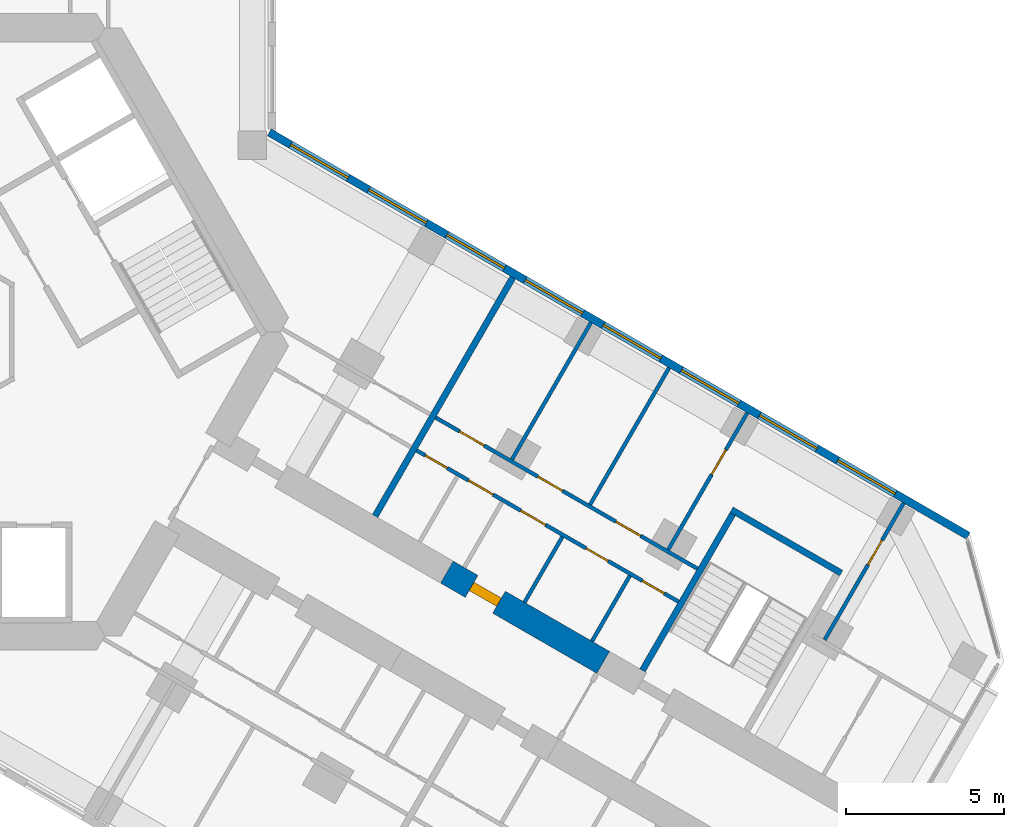
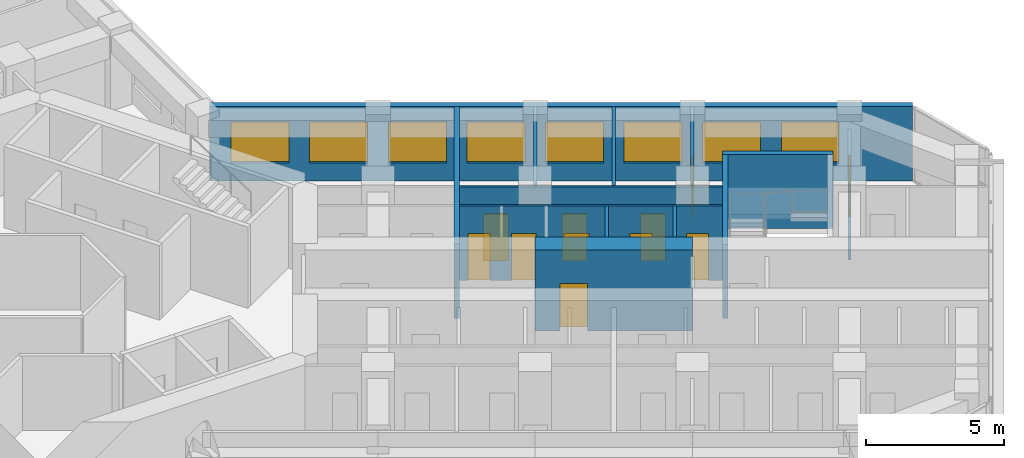
# One storey, part 16 of 20: 13 walls, 11 doors, 8 windows, 19 openings.
"""IFC4 building model written with IfcOpenShell, lengths in metres."""

from ifc_helpers import new_model, si_unit, direction, frame, frame_2d, origin, place, context, subcontext, project, spatial, rectangle, extrude, material, layer, layer_set, type_object, element, fill, save


model = new_model("IFC4")

# Units and contexts
model_context = context("Model", 3, precision=1e-05, world=origin(), true_north=direction((0.0, 1.0)))
body_context = subcontext(model_context, "Body", "Model", "MODEL_VIEW")
ifc_project = project(units=[si_unit("LENGTHUNIT", "METRE"), si_unit("AREAUNIT", "SQUARE_METRE"), si_unit("VOLUMEUNIT", "CUBIC_METRE"), si_unit("PLANEANGLEUNIT", "RADIAN"), si_unit("MASSUNIT", "GRAM", prefix="KILO")], contexts=[model_context])

# Site, building, storey
site_placement = place(None, origin())
site = spatial("IfcSite", under=ifc_project, at=site_placement, CompositionType="ELEMENT")
building_placement = place(site_placement, origin())
building = spatial("IfcBuilding", under=site, at=building_placement, Name="Kosmar Iwan School Tower", CompositionType="ELEMENT")
storey_placement = place(building_placement, frame((0.0, 0.0, 183.199951171875)))
storey = spatial("IfcBuildingStorey", under=building, at=storey_placement, Name="L46", CompositionType="ELEMENT", Elevation=183.199951171875)

# Wall, opening, door
ifc_material_1 = material(Name="Concrete C50/60", Category="concrete")
ifc_layer_1 = layer(ifc_material_1, 0.800048828125)
ifc_layer_set_1 = layer_set([ifc_layer_1], Name="Corridor buttress wall 800")
wall_type_1 = type_object("IfcWallType", Name="Corridor buttress wall 800", PredefinedType="SHEAR", material=ifc_layer_set_1)
wall_1_placement = place(storey_placement, frame((16.34521484375, -7.58935546875, 0.0), z_axis=(0.0, 0.0, 1.0), x_axis=(0.866015111908, -0.50001782563, 0.0)))
wall_1 = element("IfcWall", 1, at=wall_1_placement, inside=storey, type_object=wall_type_1, Name="Corridor wall CL bay 2", PredefinedType="SHEAR", context=body_context, shape_type="SweptSolid", body=[
    extrude(rectangle(XDim=5.699951171875, YDim=0.800048828125, at=frame_2d((2.85009765625, 0.0))), origin(), (0.0, 0.0, 1.0), 3.60009765625),
])
opening_1_placement = place(wall_1_placement, frame((0.89990234375, 0.0, 0.0)))
opening_1 = element("IfcOpeningElement", 2, at=opening_1_placement, cuts=wall_1, Name="Opening D1", PredefinedType="OPENING", context=body_context, shape_type="SweptSolid", body=[
    extrude(rectangle(XDim=1.0, YDim=2.10009765625, at=frame_2d((0.5, 1.050048828125))), frame((0.0, 0.412109375, 0.0), z_axis=(0.0, -1.0, 0.0), x_axis=(1.0, 0.0, 0.0)), (0.0, 0.0, 1.0), 0.823974609375),
])
ifc_material_2 = material(Name="Timber fire door in steel frame", Category="steel")
door_type_1 = type_object("IfcDoorType", Name="Flat entrance door 1000x2100", OperationType="SINGLE_SWING_LEFT", PredefinedType="DOOR", material=ifc_material_2)
door_1_placement = place(opening_1_placement, origin())
door_1 = element("IfcDoor", 3, at=door_1_placement, inside=storey, type_object=door_type_1, Name="Flat L46-CL2 entrance door", OperationType="SINGLE_SWING_LEFT", OverallHeight=2.10009765625, OverallWidth=1.0, PredefinedType="DOOR", context=body_context, shape_type="SweptSolid", body=[
    extrude(rectangle(XDim=1.0, YDim=2.10009765625, at=frame_2d((0.5, 1.050048828125))), frame((0.0, 0.14990234375, 0.0), z_axis=(0.0, -1.0, 0.0), x_axis=(1.0, 0.0, 0.0)), (0.0, 0.0, 1.0), 0.300048828125),
])
fill(opening_1, door_1)

# Wall, openings, doors
ifc_material_3 = material(Name="Gypsum board on steel studs", Category="steel")
ifc_layer_2 = layer(ifc_material_3, 0.1201171875)
ifc_layer_set_2 = layer_set([ifc_layer_2], Name="Dwelling partition 120")
wall_type_2 = type_object("IfcWallType", Name="Dwelling partition 120", PredefinedType="PARTITIONING", material=ifc_layer_set_2)
wall_2_placement = place(storey_placement, frame((15.388671875, -3.74609375, 0.0), z_axis=(0.0, 0.0, 1.0), x_axis=(0.866017851049, -0.500013081493, 0.0)))
wall_2 = element("IfcWall", 4, at=wall_2_placement, inside=storey, type_object=wall_type_2, Name="Partition L46-CL2-W1", PredefinedType="PARTITIONING", context=body_context, shape_type="SweptSolid", body=[
    extrude(rectangle(XDim=9.550048828125, YDim=0.1201171875, at=frame_2d((4.77490234375, 0.0))), origin(), (0.0, 0.0, 1.0), 3.300048828125),
])
opening_2_placement = place(wall_2_placement, frame((0.3125, 0.0, 0.0)))
opening_2 = element("IfcOpeningElement", 5, at=opening_2_placement, cuts=wall_2, Name="Opening D3", PredefinedType="OPENING", context=body_context, shape_type="SweptSolid", body=[
    extrude(rectangle(XDim=0.800048828125, YDim=2.10009765625, at=frame_2d((0.39990234375, 1.050048828125))), frame((0.0, 0.072021484375, 0.0), z_axis=(0.0, -1.0, 0.0), x_axis=(1.0, 0.0, 0.0)), (0.0, 0.0, 1.0), 0.14404296875),
])
opening_3_placement = place(wall_2_placement, frame((1.887451171875, 0.0, 0.0)))
opening_3 = element("IfcOpeningElement", 6, at=opening_3_placement, cuts=wall_2, Name="Opening D2", PredefinedType="OPENING", context=body_context, shape_type="SweptSolid", body=[
    extrude(rectangle(XDim=0.89990234375, YDim=2.10009765625, at=frame_2d((0.449951171875, 1.050048828125))), frame((0.0, 0.072021484375, 0.0), z_axis=(0.0, -1.0, 0.0), x_axis=(1.0, 0.0, 0.0)), (0.0, 0.0, 1.0), 0.14404296875),
])
opening_4_placement = place(wall_2_placement, frame((3.800048828125, 0.0, 0.0)))
opening_4 = element("IfcOpeningElement", 7, at=opening_4_placement, cuts=wall_2, Name="Opening D2", PredefinedType="OPENING", context=body_context, shape_type="SweptSolid", body=[
    extrude(rectangle(XDim=0.89990234375, YDim=2.10009765625, at=frame_2d((0.449951171875, 1.050048828125))), frame((0.0, 0.072021484375, 0.0), z_axis=(0.0, -1.0, 0.0), x_axis=(1.0, 0.0, 0.0)), (0.0, 0.0, 1.0), 0.14404296875),
])
opening_5_placement = place(wall_2_placement, frame((6.179931640625, 0.0, 0.0)))
opening_5 = element("IfcOpeningElement", 8, at=opening_5_placement, cuts=wall_2, Name="Opening D3", PredefinedType="OPENING", context=body_context, shape_type="SweptSolid", body=[
    extrude(rectangle(XDim=0.800048828125, YDim=2.10009765625, at=frame_2d((0.39990234375, 1.050048828125))), frame((0.0, 0.072021484375, 0.0), z_axis=(0.0, -1.0, 0.0), x_axis=(1.0, 0.0, 0.0)), (0.0, 0.0, 1.0), 0.14404296875),
])
opening_6_placement = place(wall_2_placement, frame((8.22998046875, 0.0, 0.0)))
opening_6 = element("IfcOpeningElement", 9, at=opening_6_placement, cuts=wall_2, Name="Opening D3", PredefinedType="OPENING", context=body_context, shape_type="SweptSolid", body=[
    extrude(rectangle(XDim=0.800048828125, YDim=2.10009765625, at=frame_2d((0.39990234375, 1.050048828125))), frame((0.0, 0.072021484375, 0.0), z_axis=(0.0, -1.0, 0.0), x_axis=(1.0, 0.0, 0.0)), (0.0, 0.0, 1.0), 0.14404296875),
])
ifc_material_4 = material(Name="Timber door in timber frame", Category="wood")
door_type_2 = type_object("IfcDoorType", Name="Internal door 900x2100", OperationType="SINGLE_SWING_LEFT", PredefinedType="DOOR", material=ifc_material_4)
door_2_placement = place(opening_3_placement, frame((0.89990234375, 0.0, 0.0), z_axis=(0.0, 0.0, 1.0), x_axis=(-1.0, 0.0, 0.0)))
door_2 = element("IfcDoor", 10, at=door_2_placement, inside=storey, type_object=door_type_2, Name="Pantry door L46-CL2-S2", OperationType="SINGLE_SWING_RIGHT", OverallHeight=2.10009765625, OverallWidth=0.89990234375, PredefinedType="DOOR", context=body_context, shape_type="SweptSolid", body=[
    extrude(rectangle(XDim=0.89990234375, YDim=2.10009765625, at=frame_2d((0.449951171875, 1.050048828125))), frame((0.0, 0.02490234375, 0.0), z_axis=(0.0, -1.0, 0.0), x_axis=(1.0, 0.0, 0.0)), (0.0, 0.0, 1.0), 0.050048828125),
])
fill(opening_3, door_2)
door_3_placement = place(opening_4_placement, origin())
door_3 = element("IfcDoor", 11, at=door_3_placement, inside=storey, type_object=door_type_2, Name="Entrance hall door L46-CL2-S3", OperationType="SINGLE_SWING_LEFT", OverallHeight=2.10009765625, OverallWidth=0.89990234375, PredefinedType="DOOR", context=body_context, shape_type="SweptSolid", body=[
    extrude(rectangle(XDim=0.89990234375, YDim=2.10009765625, at=frame_2d((0.449951171875, 1.050048828125))), frame((0.0, 0.02490234375, 0.0), z_axis=(0.0, -1.0, 0.0), x_axis=(1.0, 0.0, 0.0)), (0.0, 0.0, 1.0), 0.050048828125),
])
fill(opening_4, door_3)
ifc_material_5 = material(Name="Timber door in timber frame", Category="wood")
door_type_3 = type_object("IfcDoorType", Name="Sanitary room door 800x2100", OperationType="SINGLE_SWING_LEFT", PredefinedType="DOOR", material=ifc_material_5)
door_4_placement = place(opening_2_placement, origin())
door_4 = element("IfcDoor", 12, at=door_4_placement, inside=storey, type_object=door_type_3, Name="Store door L46-CL2-S1", OperationType="SINGLE_SWING_LEFT", OverallHeight=2.10009765625, OverallWidth=0.800048828125, PredefinedType="DOOR", context=body_context, shape_type="SweptSolid", body=[
    extrude(rectangle(XDim=0.800048828125, YDim=2.10009765625, at=frame_2d((0.39990234375, 1.050048828125))), frame((0.0, 0.02490234375, 0.0), z_axis=(0.0, -1.0, 0.0), x_axis=(1.0, 0.0, 0.0)), (0.0, 0.0, 1.0), 0.050048828125),
])
fill(opening_2, door_4)
door_5_placement = place(opening_5_placement, origin())
door_5 = element("IfcDoor", 13, at=door_5_placement, inside=storey, type_object=door_type_3, Name="Bathroom door L46-CL2-S4", OperationType="SINGLE_SWING_RIGHT", OverallHeight=2.10009765625, OverallWidth=0.800048828125, PredefinedType="DOOR", context=body_context, shape_type="SweptSolid", body=[
    extrude(rectangle(XDim=0.800048828125, YDim=2.10009765625, at=frame_2d((0.39990234375, 1.050048828125))), frame((0.0, 0.02490234375, 0.0), z_axis=(0.0, -1.0, 0.0), x_axis=(1.0, 0.0, 0.0)), (0.0, 0.0, 1.0), 0.050048828125),
])
fill(opening_5, door_5)
door_6_placement = place(opening_6_placement, origin())
door_6 = element("IfcDoor", 14, at=door_6_placement, inside=storey, type_object=door_type_3, Name="WC door L46-CL2-S5", OperationType="SINGLE_SWING_RIGHT", OverallHeight=2.10009765625, OverallWidth=0.800048828125, PredefinedType="DOOR", context=body_context, shape_type="SweptSolid", body=[
    extrude(rectangle(XDim=0.800048828125, YDim=2.10009765625, at=frame_2d((0.39990234375, 1.050048828125))), frame((0.0, 0.02490234375, 0.0), z_axis=(0.0, -1.0, 0.0), x_axis=(1.0, 0.0, 0.0)), (0.0, 0.0, 1.0), 0.050048828125),
])
fill(opening_6, door_6)

wall_3_placement = place(storey_placement, frame((15.988525390625, -2.70703125, 0.0), z_axis=(0.0, 0.0, 1.0), x_axis=(0.866028920859, -0.499993908199, 0.0)))
wall_3 = element("IfcWall", 15, at=wall_3_placement, inside=storey, type_object=wall_type_2, Name="Partition L46-CL2-W2", PredefinedType="PARTITIONING", context=body_context, shape_type="SweptSolid", body=[
    extrude(rectangle(XDim=9.5498046875, YDim=0.1201171875, at=frame_2d((4.77490234375, 0.0))), origin(), (0.0, 0.0, 1.0), 3.300048828125),
])
opening_7_placement = place(wall_3_placement, frame((0.875, 0.0, 0.0)))
opening_7 = element("IfcOpeningElement", 16, at=opening_7_placement, cuts=wall_3, Name="Opening D2", PredefinedType="OPENING", context=body_context, shape_type="SweptSolid", body=[
    extrude(rectangle(XDim=0.89990234375, YDim=2.10009765625, at=frame_2d((0.449951171875, 1.050048828125))), frame((0.0, 0.072021484375, 0.0), z_axis=(0.0, -1.0, 0.0), x_axis=(1.0, 0.0, 0.0)), (0.0, 0.0, 1.0), 0.14404296875),
])
opening_8_placement = place(wall_3_placement, frame((3.72509765625, 0.0, 0.0)))
opening_8 = element("IfcOpeningElement", 17, at=opening_8_placement, cuts=wall_3, Name="Opening D2", PredefinedType="OPENING", context=body_context, shape_type="SweptSolid", body=[
    extrude(rectangle(XDim=0.89990234375, YDim=2.10009765625, at=frame_2d((0.449951171875, 1.050048828125))), frame((0.0, 0.072021484375, 0.0), z_axis=(0.0, -1.0, 0.0), x_axis=(1.0, 0.0, 0.0)), (0.0, 0.0, 1.0), 0.14404296875),
])
opening_9_placement = place(wall_3_placement, frame((6.574951171875, 0.0, 0.0)))
opening_9 = element("IfcOpeningElement", 18, at=opening_9_placement, cuts=wall_3, Name="Opening D2", PredefinedType="OPENING", context=body_context, shape_type="SweptSolid", body=[
    extrude(rectangle(XDim=0.89990234375, YDim=2.10009765625, at=frame_2d((0.449951171875, 1.050048828125))), frame((0.0, 0.072021484375, 0.0), z_axis=(0.0, -1.0, 0.0), x_axis=(1.0, 0.0, 0.0)), (0.0, 0.0, 1.0), 0.14404296875),
])
door_7_placement = place(opening_7_placement, origin())
door_7 = element("IfcDoor", 19, at=door_7_placement, inside=storey, type_object=door_type_2, Name="Guest reception room door L46-CL2-F1", OperationType="SINGLE_SWING_LEFT", OverallHeight=2.10009765625, OverallWidth=0.89990234375, PredefinedType="DOOR", context=body_context, shape_type="SweptSolid", body=[
    extrude(rectangle(XDim=0.89990234375, YDim=2.10009765625, at=frame_2d((0.449951171875, 1.050048828125))), frame((0.0, 0.02490234375, 0.0), z_axis=(0.0, -1.0, 0.0), x_axis=(1.0, 0.0, 0.0)), (0.0, 0.0, 1.0), 0.050048828125),
])
fill(opening_7, door_7)
door_8_placement = place(opening_8_placement, origin())
door_8 = element("IfcDoor", 20, at=door_8_placement, inside=storey, type_object=door_type_2, Name="Family room and kitchen door L46-CL2-F2", OperationType="SINGLE_SWING_RIGHT", OverallHeight=2.10009765625, OverallWidth=0.89990234375, PredefinedType="DOOR", context=body_context, shape_type="SweptSolid", body=[
    extrude(rectangle(XDim=0.89990234375, YDim=2.10009765625, at=frame_2d((0.449951171875, 1.050048828125))), frame((0.0, 0.02490234375, 0.0), z_axis=(0.0, -1.0, 0.0), x_axis=(1.0, 0.0, 0.0)), (0.0, 0.0, 1.0), 0.050048828125),
])
fill(opening_8, door_8)
door_9_placement = place(opening_9_placement, origin())
door_9 = element("IfcDoor", 21, at=door_9_placement, inside=storey, type_object=door_type_2, Name="Bedroom 1 door L46-CL2-F3", OperationType="SINGLE_SWING_LEFT", OverallHeight=2.10009765625, OverallWidth=0.89990234375, PredefinedType="DOOR", context=body_context, shape_type="SweptSolid", body=[
    extrude(rectangle(XDim=0.89990234375, YDim=2.10009765625, at=frame_2d((0.449951171875, 1.050048828125))), frame((0.0, 0.02490234375, 0.0), z_axis=(0.0, -1.0, 0.0), x_axis=(1.0, 0.0, 0.0)), (0.0, 0.0, 1.0), 0.050048828125),
])
fill(opening_9, door_9)

# Walls
wall_4_placement = place(storey_placement, frame((18.400146484375, -4.030029296875, 0.0), z_axis=(0.0, 0.0, 1.0), x_axis=(0.500011847778, 0.866018563358, 0.0)))
element("IfcWall", 22, at=wall_4_placement, inside=storey, type_object=wall_type_2, Name="Partition L46-CL2-X1", PredefinedType="PARTITIONING", context=body_context, shape_type="SweptSolid", body=[
    extrude(rectangle(XDim=4.990234375, YDim=0.1201171875, at=frame_2d((2.4951171875, 0.0))), origin(), (0.0, 0.0, 1.0), 3.300048828125),
])
wall_5_placement = place(storey_placement, frame((20.868408203125, -5.455078125, 0.0), z_axis=(0.0, 0.0, 1.0), x_axis=(0.499975153383, 0.86603974851, 0.0)))
element("IfcWall", 23, at=wall_5_placement, inside=storey, type_object=wall_type_2, Name="Partition L46-CL2-X2", PredefinedType="PARTITIONING", context=body_context, shape_type="SweptSolid", body=[
    extrude(rectangle(XDim=4.989990234375, YDim=0.1201171875, at=frame_2d((2.4951171875, 0.0))), origin(), (0.0, 0.0, 1.0), 3.300048828125),
])
for number, where, z_axis, x_axis, name in (
    (24, (18.796875, -8.54296875, 0.0), (0.0, 0.0, 1.0), (0.500017192868, 0.86601547725, 0.0), "Partition L46-CL2-Y3"),
    (25, (20.92724609375, -9.77294921875, 0.0), (0.0, 0.0, 1.0), (0.500017192868, 0.86601547725, 0.0), "Partition L46-CL2-Y4"),
):
    element("IfcWall", number, at=place(storey_placement, frame(where, z_axis=z_axis, x_axis=x_axis)), inside=storey, type_object=wall_type_2, Name=name, PredefinedType="PARTITIONING", context=body_context, shape_type="SweptSolid", body=[
        extrude(rectangle(XDim=2.39013671875, YDim=0.1201171875, at=frame_2d((1.195068359375, 0.0))), origin(), (0.0, 0.0, 1.0), 3.300048828125),
    ])

# Wall, opening, door
wall_6_placement = place(storey_placement, frame((23.33642578125, -6.8798828125, 0.0), z_axis=(0.0, 0.0, 1.0), x_axis=(0.500033033937, 0.866006330792, 0.0)))
wall_6 = element("IfcWall", 26, at=wall_6_placement, inside=storey, type_object=wall_type_2, Name="Partition L46-CL2-TB", PredefinedType="PARTITIONING", context=body_context, shape_type="SweptSolid", body=[
    extrude(rectangle(XDim=4.989990234375, YDim=0.1201171875, at=frame_2d((2.4951171875, 0.0))), origin(), (0.0, 0.0, 1.0), 3.300048828125),
])
opening_10_placement = place(wall_6_placement, frame((2.739990234375, 0.0, 0.0)))
opening_10 = element("IfcOpeningElement", 27, at=opening_10_placement, cuts=wall_6, Name="Opening D2", PredefinedType="OPENING", context=body_context, shape_type="SweptSolid", body=[
    extrude(rectangle(XDim=0.89990234375, YDim=2.10009765625, at=frame_2d((0.449951171875, 1.050048828125))), frame((0.0, 0.072021484375, 0.0), z_axis=(0.0, -1.0, 0.0), x_axis=(1.0, 0.0, 0.0)), (0.0, 0.0, 1.0), 0.14404296875),
])
door_10_placement = place(opening_10_placement, origin())
door_10 = element("IfcDoor", 28, at=door_10_placement, inside=storey, type_object=door_type_2, Name="Study door L46-CL2-F3", OperationType="SINGLE_SWING_RIGHT", OverallHeight=2.10009765625, OverallWidth=0.89990234375, PredefinedType="DOOR", context=body_context, shape_type="SweptSolid", body=[
    extrude(rectangle(XDim=0.89990234375, YDim=2.10009765625, at=frame_2d((0.449951171875, 1.050048828125))), frame((0.0, 0.02490234375, 0.0), z_axis=(0.0, -1.0, 0.0), x_axis=(1.0, 0.0, 0.0)), (0.0, 0.0, 1.0), 0.050048828125),
])
fill(opening_10, door_10)

wall_7_placement = place(storey_placement, frame((28.27294921875, -9.72998046875, 0.0), z_axis=(0.0, 0.0, 1.0), x_axis=(0.499975153383, 0.86603974851, 0.0)))
wall_7 = element("IfcWall", 29, at=wall_7_placement, inside=storey, type_object=wall_type_2, Name="Partition L46-CL2-TX", PredefinedType="PARTITIONING", context=body_context, shape_type="SweptSolid", body=[
    extrude(rectangle(XDim=4.989990234375, YDim=0.1201171875, at=frame_2d((2.4951171875, 0.0))), origin(), (0.0, 0.0, 1.0), 2.300048828125),
])
opening_11_placement = place(wall_7_placement, frame((2.739990234375, 0.0, 0.0)))
opening_11 = element("IfcOpeningElement", 30, at=opening_11_placement, cuts=wall_7, Name="Opening D2", PredefinedType="OPENING", context=body_context, shape_type="SweptSolid", body=[
    extrude(rectangle(XDim=0.89990234375, YDim=2.10009765625, at=frame_2d((0.449951171875, 1.050048828125))), frame((0.0, 0.072021484375, 0.0), z_axis=(0.0, -1.0, 0.0), x_axis=(1.0, 0.0, 0.0)), (0.0, 0.0, 1.0), 0.14404296875),
])
door_11_placement = place(opening_11_placement, origin())
door_11 = element("IfcDoor", 31, at=door_11_placement, inside=storey, type_object=door_type_2, Name="Study door L46-CL2-T1", OperationType="SINGLE_SWING_RIGHT", OverallHeight=2.10009765625, OverallWidth=0.89990234375, PredefinedType="DOOR", context=body_context, shape_type="SweptSolid", body=[
    extrude(rectangle(XDim=0.89990234375, YDim=2.10009765625, at=frame_2d((0.449951171875, 1.050048828125))), frame((0.0, 0.02490234375, 0.0), z_axis=(0.0, -1.0, 0.0), x_axis=(1.0, 0.0, 0.0)), (0.0, 0.0, 1.0), 0.050048828125),
])
fill(opening_11, door_11)

# Walls
ifc_material_6 = material(Name="Concrete C35/45", Category="concrete")
ifc_layer_3 = layer(ifc_material_6, 0.199951171875)
ifc_layer_set_3 = layer_set([ifc_layer_3], Name="Escape stair wall 200")
wall_type_3 = type_object("IfcWallType", Name="Escape stair wall 200", PredefinedType="SHEAR", material=ifc_layer_set_3)
wall_8_placement = place(storey_placement, frame((22.520751953125, -10.69287109375, 0.0), z_axis=(0.0, 0.0, 1.0), x_axis=(0.500006628179, 0.86602157697, 0.0)))
element("IfcWall", 32, at=wall_8_placement, inside=storey, type_object=wall_type_3, Name="Stair WS3 wall", PredefinedType="SHEAR", context=body_context, shape_type="SweptSolid", body=[
    extrude(rectangle(XDim=5.89990234375, YDim=0.199951171875, at=frame_2d((2.949951171875, 0.0))), origin(), (0.0, 0.0, 1.0), 3.280029296875),
])
wall_9_placement = place(storey_placement, frame((25.334228515625, -5.6201171875, 0.0), z_axis=(0.0, 0.0, 1.0), x_axis=(0.866026010844, -0.49999894854, 0.0)))
element("IfcWall", 33, at=wall_9_placement, inside=storey, type_object=wall_type_3, Name="Stair WS3 wall", PredefinedType="SHEAR", context=body_context, shape_type="SweptSolid", body=[
    extrude(rectangle(XDim=4.0, YDim=0.199951171875, at=frame_2d((2.0, 0.0))), origin(), (0.0, 0.0, 1.0), 3.280029296875),
])

# Wall, openings, windows
ifc_material_7 = material(Name="Black aluminium rainscreen on insulated framing", Category="aluminium")
ifc_layer_4 = layer(ifc_material_7, 0.25)
ifc_layer_set_4 = layer_set([ifc_layer_4], Name="External wall rainscreen 250")
wall_type_4 = type_object("IfcWallType", Name="External wall rainscreen 250", PredefinedType="SOLIDWALL", material=ifc_layer_set_4)
wall_10_placement = place(storey_placement, frame((10.73681640625, 6.30078125, 0.0), z_axis=(0.0, 0.0, 1.0), x_axis=(0.866026390279, -0.499998291337, 0.0)))
wall_10 = element("IfcWall", 34, at=wall_10_placement, inside=storey, type_object=wall_type_4, Name="External wall CL L46", PredefinedType="SOLIDWALL", context=body_context, shape_type="SweptSolid", body=[
    extrude(rectangle(XDim=25.4873046875, YDim=0.25, at=frame_2d((12.74365234375, 0.0))), origin(), (0.0, 0.0, 1.0), 3.300048828125),
])
opening_12_placement = place(wall_10_placement, frame((0.777099609375, 0.0, 0.800048828125)))
opening_12 = element("IfcOpeningElement", 35, at=opening_12_placement, cuts=wall_10, Name="Opening W4", PredefinedType="OPENING", context=body_context, shape_type="SweptSolid", body=[
    extrude(rectangle(XDim=2.10009765625, YDim=1.800048828125, at=frame_2d((1.050048828125, 0.89990234375))), frame((0.0, 0.136962890625, 0.0), z_axis=(0.0, -1.0, 0.0), x_axis=(1.0, 0.0, 0.0)), (0.0, 0.0, 1.0), 0.27392578125),
])
opening_13_placement = place(wall_10_placement, frame((3.626953125, 0.0, 0.800048828125)))
opening_13 = element("IfcOpeningElement", 36, at=opening_13_placement, cuts=wall_10, Name="Opening W4", PredefinedType="OPENING", context=body_context, shape_type="SweptSolid", body=[
    extrude(rectangle(XDim=2.10009765625, YDim=1.800048828125, at=frame_2d((1.050048828125, 0.89990234375))), frame((0.0, 0.136962890625, 0.0), z_axis=(0.0, -1.0, 0.0), x_axis=(1.0, 0.0, 0.0)), (0.0, 0.0, 1.0), 0.27392578125),
])
opening_14_placement = place(wall_10_placement, frame((6.47705078125, 0.0, 0.800048828125)))
opening_14 = element("IfcOpeningElement", 37, at=opening_14_placement, cuts=wall_10, Name="Opening W4", PredefinedType="OPENING", context=body_context, shape_type="SweptSolid", body=[
    extrude(rectangle(XDim=2.10009765625, YDim=1.800048828125, at=frame_2d((1.050048828125, 0.89990234375))), frame((0.0, 0.136962890625, 0.0), z_axis=(0.0, -1.0, 0.0), x_axis=(1.0, 0.0, 0.0)), (0.0, 0.0, 1.0), 0.27392578125),
])
opening_15_placement = place(wall_10_placement, frame((9.326904296875, 0.0, 0.800048828125)))
opening_15 = element("IfcOpeningElement", 38, at=opening_15_placement, cuts=wall_10, Name="Opening W4", PredefinedType="OPENING", context=body_context, shape_type="SweptSolid", body=[
    extrude(rectangle(XDim=2.10009765625, YDim=1.800048828125, at=frame_2d((1.050048828125, 0.89990234375))), frame((0.0, 0.136962890625, 0.0), z_axis=(0.0, -1.0, 0.0), x_axis=(1.0, 0.0, 0.0)), (0.0, 0.0, 1.0), 0.27392578125),
])
opening_16_placement = place(wall_10_placement, frame((12.177001953125, 0.0, 0.800048828125)))
opening_16 = element("IfcOpeningElement", 39, at=opening_16_placement, cuts=wall_10, Name="Opening W4", PredefinedType="OPENING", context=body_context, shape_type="SweptSolid", body=[
    extrude(rectangle(XDim=2.10009765625, YDim=1.800048828125, at=frame_2d((1.050048828125, 0.89990234375))), frame((0.0, 0.136962890625, 0.0), z_axis=(0.0, -1.0, 0.0), x_axis=(1.0, 0.0, 0.0)), (0.0, 0.0, 1.0), 0.27392578125),
])
opening_17_placement = place(wall_10_placement, frame((15.027099609375, 0.0, 0.800048828125)))
opening_17 = element("IfcOpeningElement", 40, at=opening_17_placement, cuts=wall_10, Name="Opening W4", PredefinedType="OPENING", context=body_context, shape_type="SweptSolid", body=[
    extrude(rectangle(XDim=2.10009765625, YDim=1.800048828125, at=frame_2d((1.050048828125, 0.89990234375))), frame((0.0, 0.136962890625, 0.0), z_axis=(0.0, -1.0, 0.0), x_axis=(1.0, 0.0, 0.0)), (0.0, 0.0, 1.0), 0.27392578125),
])
opening_18_placement = place(wall_10_placement, frame((17.876953125, 0.0, 0.800048828125)))
opening_18 = element("IfcOpeningElement", 41, at=opening_18_placement, cuts=wall_10, Name="Opening W4", PredefinedType="OPENING", context=body_context, shape_type="SweptSolid", body=[
    extrude(rectangle(XDim=2.10009765625, YDim=1.800048828125, at=frame_2d((1.050048828125, 0.89990234375))), frame((0.0, 0.136962890625, 0.0), z_axis=(0.0, -1.0, 0.0), x_axis=(1.0, 0.0, 0.0)), (0.0, 0.0, 1.0), 0.27392578125),
])
opening_19_placement = place(wall_10_placement, frame((20.72705078125, 0.0, 0.800048828125)))
opening_19 = element("IfcOpeningElement", 42, at=opening_19_placement, cuts=wall_10, Name="Opening W4", PredefinedType="OPENING", context=body_context, shape_type="SweptSolid", body=[
    extrude(rectangle(XDim=2.10009765625, YDim=1.800048828125, at=frame_2d((1.050048828125, 0.89990234375))), frame((0.0, 0.136962890625, 0.0), z_axis=(0.0, -1.0, 0.0), x_axis=(1.0, 0.0, 0.0)), (0.0, 0.0, 1.0), 0.27392578125),
])
ifc_material_8 = material(Name="Black aluminium frame with dark triple glazing", Category="aluminium")
window_type = type_object("IfcWindowType", Name="Window 2100x1800", PartitioningType="SINGLE_PANEL", PredefinedType="WINDOW", material=ifc_material_8)
window_1_placement = place(opening_12_placement, origin())
window_1 = element("IfcWindow", 43, at=window_1_placement, inside=storey, type_object=window_type, Name="Window CL L46 -1", OverallHeight=1.800048828125, OverallWidth=2.10009765625, PartitioningType="SINGLE_PANEL", PredefinedType="WINDOW", context=body_context, shape_type="SweptSolid", body=[
    extrude(rectangle(XDim=2.10009765625, YDim=1.800048828125, at=frame_2d((1.050048828125, 0.89990234375))), frame((0.0, 0.030029296875, 0.0), z_axis=(0.0, -1.0, 0.0), x_axis=(1.0, 0.0, 0.0)), (0.0, 0.0, 1.0), 0.06005859375),
])
fill(opening_12, window_1)
window_2_placement = place(opening_13_placement, origin())
window_2 = element("IfcWindow", 44, at=window_2_placement, inside=storey, type_object=window_type, Name="Window CL L46 0", OverallHeight=1.800048828125, OverallWidth=2.10009765625, PartitioningType="SINGLE_PANEL", PredefinedType="WINDOW", context=body_context, shape_type="SweptSolid", body=[
    extrude(rectangle(XDim=2.10009765625, YDim=1.800048828125, at=frame_2d((1.050048828125, 0.89990234375))), frame((0.0, 0.030029296875, 0.0), z_axis=(0.0, -1.0, 0.0), x_axis=(1.0, 0.0, 0.0)), (0.0, 0.0, 1.0), 0.06005859375),
])
fill(opening_13, window_2)
window_3_placement = place(opening_14_placement, origin())
window_3 = element("IfcWindow", 45, at=window_3_placement, inside=storey, type_object=window_type, Name="Window CL L46 1", OverallHeight=1.800048828125, OverallWidth=2.10009765625, PartitioningType="SINGLE_PANEL", PredefinedType="WINDOW", context=body_context, shape_type="SweptSolid", body=[
    extrude(rectangle(XDim=2.10009765625, YDim=1.800048828125, at=frame_2d((1.050048828125, 0.89990234375))), frame((0.0, 0.030029296875, 0.0), z_axis=(0.0, -1.0, 0.0), x_axis=(1.0, 0.0, 0.0)), (0.0, 0.0, 1.0), 0.06005859375),
])
fill(opening_14, window_3)
window_4_placement = place(opening_15_placement, origin())
window_4 = element("IfcWindow", 46, at=window_4_placement, inside=storey, type_object=window_type, Name="Window CL L46 2", OverallHeight=1.800048828125, OverallWidth=2.10009765625, PartitioningType="SINGLE_PANEL", PredefinedType="WINDOW", context=body_context, shape_type="SweptSolid", body=[
    extrude(rectangle(XDim=2.10009765625, YDim=1.800048828125, at=frame_2d((1.050048828125, 0.89990234375))), frame((0.0, 0.030029296875, 0.0), z_axis=(0.0, -1.0, 0.0), x_axis=(1.0, 0.0, 0.0)), (0.0, 0.0, 1.0), 0.06005859375),
])
fill(opening_15, window_4)
window_5_placement = place(opening_16_placement, origin())
window_5 = element("IfcWindow", 47, at=window_5_placement, inside=storey, type_object=window_type, Name="Window CL L46 3", OverallHeight=1.800048828125, OverallWidth=2.10009765625, PartitioningType="SINGLE_PANEL", PredefinedType="WINDOW", context=body_context, shape_type="SweptSolid", body=[
    extrude(rectangle(XDim=2.10009765625, YDim=1.800048828125, at=frame_2d((1.050048828125, 0.89990234375))), frame((0.0, 0.030029296875, 0.0), z_axis=(0.0, -1.0, 0.0), x_axis=(1.0, 0.0, 0.0)), (0.0, 0.0, 1.0), 0.06005859375),
])
fill(opening_16, window_5)
window_6_placement = place(opening_17_placement, origin())
window_6 = element("IfcWindow", 48, at=window_6_placement, inside=storey, type_object=window_type, Name="Window CL L46 4", OverallHeight=1.800048828125, OverallWidth=2.10009765625, PartitioningType="SINGLE_PANEL", PredefinedType="WINDOW", context=body_context, shape_type="SweptSolid", body=[
    extrude(rectangle(XDim=2.10009765625, YDim=1.800048828125, at=frame_2d((1.050048828125, 0.89990234375))), frame((0.0, 0.030029296875, 0.0), z_axis=(0.0, -1.0, 0.0), x_axis=(1.0, 0.0, 0.0)), (0.0, 0.0, 1.0), 0.06005859375),
])
fill(opening_17, window_6)
window_7_placement = place(opening_18_placement, origin())
window_7 = element("IfcWindow", 49, at=window_7_placement, inside=storey, type_object=window_type, Name="Window CL L46 5", OverallHeight=1.800048828125, OverallWidth=2.10009765625, PartitioningType="SINGLE_PANEL", PredefinedType="WINDOW", context=body_context, shape_type="SweptSolid", body=[
    extrude(rectangle(XDim=2.10009765625, YDim=1.800048828125, at=frame_2d((1.050048828125, 0.89990234375))), frame((0.0, 0.030029296875, 0.0), z_axis=(0.0, -1.0, 0.0), x_axis=(1.0, 0.0, 0.0)), (0.0, 0.0, 1.0), 0.06005859375),
])
fill(opening_18, window_7)
window_8_placement = place(opening_19_placement, origin())
window_8 = element("IfcWindow", 50, at=window_8_placement, inside=storey, type_object=window_type, Name="Window CL L46 6", OverallHeight=1.800048828125, OverallWidth=2.10009765625, PartitioningType="SINGLE_PANEL", PredefinedType="WINDOW", context=body_context, shape_type="SweptSolid", body=[
    extrude(rectangle(XDim=2.10009765625, YDim=1.800048828125, at=frame_2d((1.050048828125, 0.89990234375))), frame((0.0, 0.030029296875, 0.0), z_axis=(0.0, -1.0, 0.0), x_axis=(1.0, 0.0, 0.0)), (0.0, 0.0, 1.0), 0.06005859375),
])
fill(opening_19, window_8)

# Wall
ifc_material_9 = material(Name="Concrete block masonry", Category="masonry")
ifc_layer_5 = layer(ifc_material_9, 0.199951171875)
ifc_layer_set_5 = layer_set([ifc_layer_5], Name="Party wall 200")
wall_type_5 = type_object("IfcWallType", Name="Party wall 200", PredefinedType="PARTITIONING", material=ifc_layer_set_5)
wall_11_placement = place(storey_placement, frame((14.076904296875, -5.81787109375, 0.0), z_axis=(0.0, 0.0, 1.0), x_axis=(0.500008278454, 0.866020624164, 0.0)))
element("IfcWall", 51, at=wall_11_placement, inside=storey, type_object=wall_type_5, Name="Partition L46-CL2-PW", PredefinedType="PARTITIONING", context=body_context, shape_type="SweptSolid", body=[
    extrude(rectangle(XDim=8.699951171875, YDim=0.199951171875, at=frame_2d((4.35009765625, 0.0))), origin(), (0.0, 0.0, 1.0), 3.300048828125),
])

save(model, "model.ifc")
